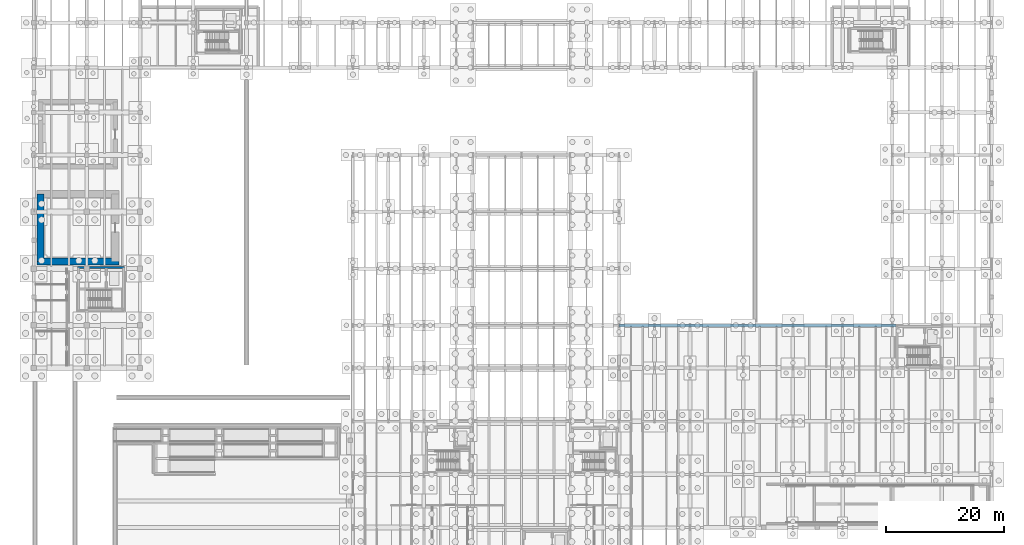
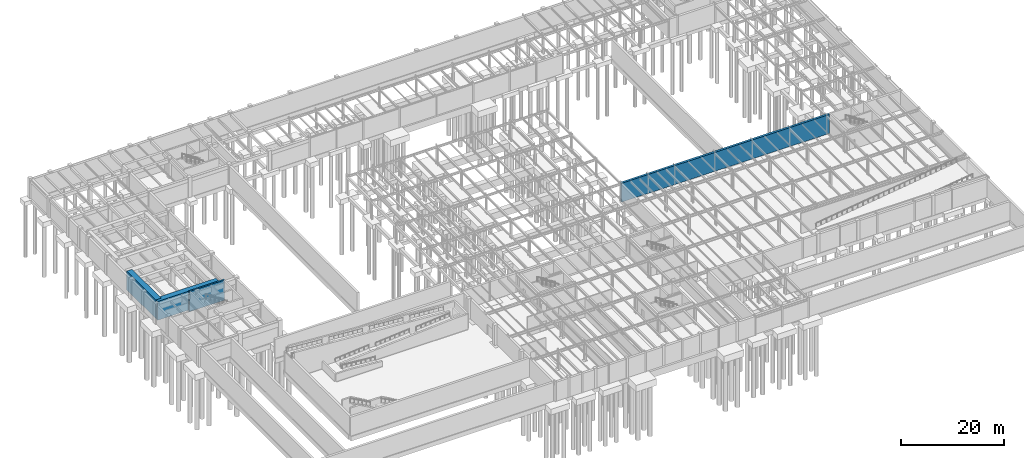
# One storey, part 44 of 59: 4 walls.
"""IFC4 building model written with IfcOpenShell, lengths in metres."""

from ifc_helpers import new_model, si_unit, direction, frame, frame_2d, origin, place, context, subcontext, project, spatial, rectangle, extrude, material, layer, layer_set, type_object, element, save


model = new_model("IFC4")

# Units and contexts
model_context = context("Model", 3, precision=1e-05, world=origin(), true_north=direction((0.0, 1.0)))
body_context = subcontext(model_context, "Body", "Model", "MODEL_VIEW")
ifc_project = project(units=[si_unit("LENGTHUNIT", "METRE"), si_unit("AREAUNIT", "SQUARE_METRE"), si_unit("VOLUMEUNIT", "CUBIC_METRE"), si_unit("PLANEANGLEUNIT", "RADIAN"), si_unit("MASSUNIT", "GRAM", prefix="KILO")], contexts=[model_context])

# Site, building, storey
site_placement = place(None, origin())
site = spatial("IfcSite", under=ifc_project, at=site_placement, CompositionType="ELEMENT")
building_placement = place(site_placement, origin())
building = spatial("IfcBuilding", under=site, at=building_placement, Name="Montealbar Specialist Clinic", CompositionType="ELEMENT")
storey_placement = place(building_placement, frame((0.0, 0.0, -4.800048828125)))
storey = spatial("IfcBuildingStorey", under=building, at=storey_placement, Name="B01", CompositionType="ELEMENT", Elevation=-4.800048828125)

# Walls
ifc_material = material(Name="Concrete C35/45", Category="concrete")
ifc_layer_1 = layer(ifc_material, 1.199951171875, Name="Concrete C35/45", Category="concrete")
ifc_layer_set_1 = layer_set([ifc_layer_1], Name="Concrete C35/45")
wall_type_1 = type_object("IfcWallType", Name="WL-BUNKER-1200", PredefinedType="SOLIDWALL", material=ifc_layer_set_1)
wall_1_placement = place(storey_placement, frame((0.60009765625, 63.0, 0.0), z_axis=(0.0, 0.0, 1.0), x_axis=(1.0, 0.0, 0.0)))
element("IfcWall", 1, at=wall_1_placement, inside=storey, type_object=wall_type_1, Name="Radiotherapy LINAC Bunker Shield Wall LINAC-S", PredefinedType="SOLIDWALL", context=body_context, shape_type="SweptSolid", body=[
    extrude(rectangle(XDim=13.7998046875, YDim=1.199951171875, at=frame_2d((6.89990234375, 0.0))), origin(), (0.0, 0.0, 1.0), 4.5),
])
wall_2_placement = place(storey_placement, frame((1.199951171875, 63.0, 0.0), z_axis=(0.0, 0.0, 1.0), x_axis=(0.0, 1.0, 0.0)))
element("IfcWall", 2, at=wall_2_placement, inside=storey, type_object=wall_type_1, Name="Radiotherapy LINAC Bunker Shield Wall LINAC-W", PredefinedType="SOLIDWALL", context=body_context, shape_type="SweptSolid", body=[
    extrude(rectangle(XDim=11.39990234375, YDim=1.199951171875, at=frame_2d((5.699951171875, 0.0))), origin(), (0.0, 0.0, 1.0), 4.5),
])
ifc_layer_2 = layer(ifc_material, 0.35009765625, Name="Concrete C35/45", Category="concrete")
ifc_layer_set_2 = layer_set([ifc_layer_2], Name="Concrete C35/45")
wall_type_2 = type_object("IfcWallType", Name="WL-CORE-350", PredefinedType="SHEAR", material=ifc_layer_set_2)
wall_3_placement = place(storey_placement, frame((7.425048828125, 62.0, 0.0), z_axis=(0.0, 0.0, 1.0), x_axis=(1.0, 0.0, 0.0)))
element("IfcWall", 3, at=wall_3_placement, inside=storey, type_object=wall_type_2, Name="Core C1 Shear Wall B01 N", PredefinedType="SHEAR", context=body_context, shape_type="SweptSolid", body=[
    extrude(rectangle(XDim=7.949951171875, YDim=0.35009765625, at=frame_2d((3.97509765625, 0.0))), origin(), (0.0, 0.0, 1.0), 4.800048828125),
])
ifc_layer_3 = layer(ifc_material, 0.5, Name="Concrete C35/45", Category="concrete")
ifc_layer_set_3 = layer_set([ifc_layer_3], Name="Concrete C35/45")
wall_type_3 = type_object("IfcWallType", Name="WL-RET-500", PredefinedType="SOLIDWALL", material=ifc_layer_set_3)
wall_4_placement = place(storey_placement, frame((99.0, 52.199951171875, 0.0), z_axis=(0.0, 0.0, 1.0), x_axis=(1.0, 0.0, 0.0)))
element("IfcWall", 4, at=wall_4_placement, inside=storey, type_object=wall_type_3, Name="Basement Retaining Wall B01-04", PredefinedType="SOLIDWALL", context=body_context, shape_type="SweptSolid", body=[
    extrude(rectangle(XDim=46.824951171875, YDim=0.5, at=frame_2d((23.41259765625, 0.0))), origin(), (0.0, 0.0, 1.0), 4.5),
])

save(model, "model.ifc")
